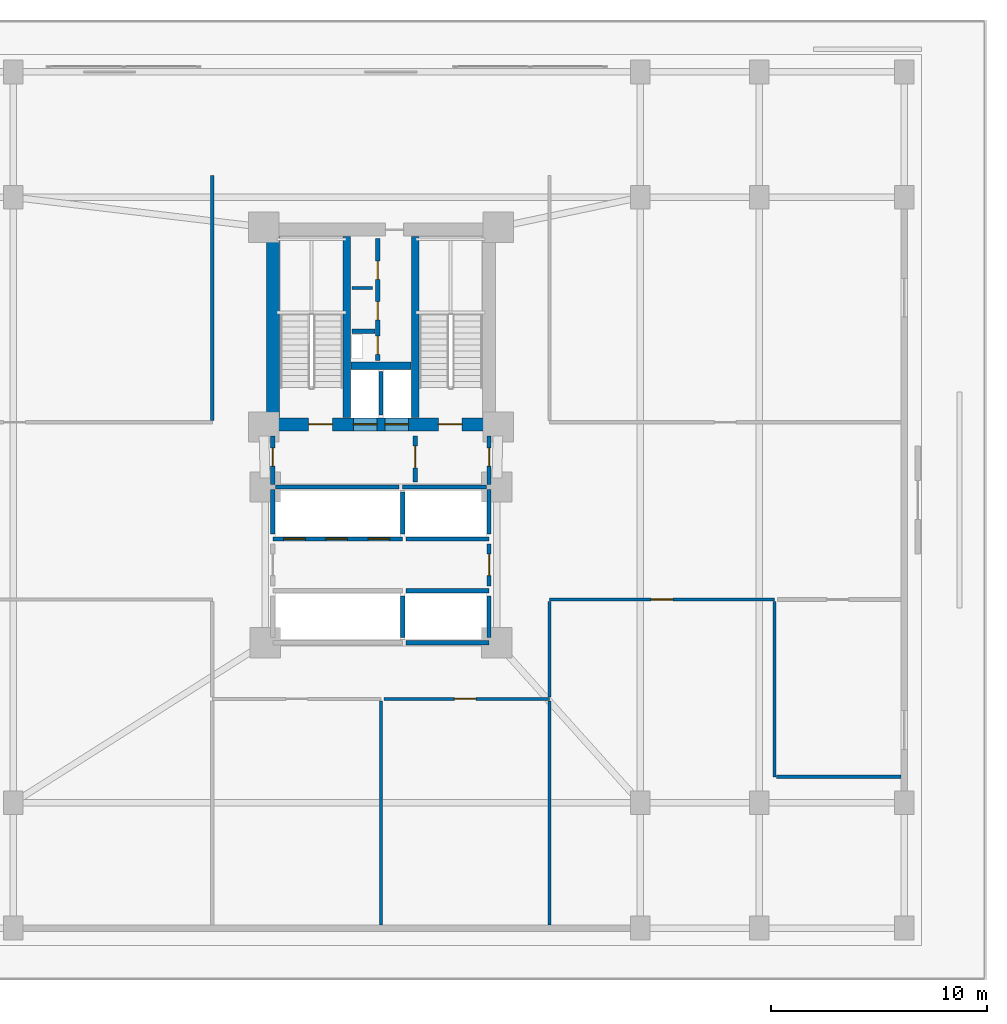
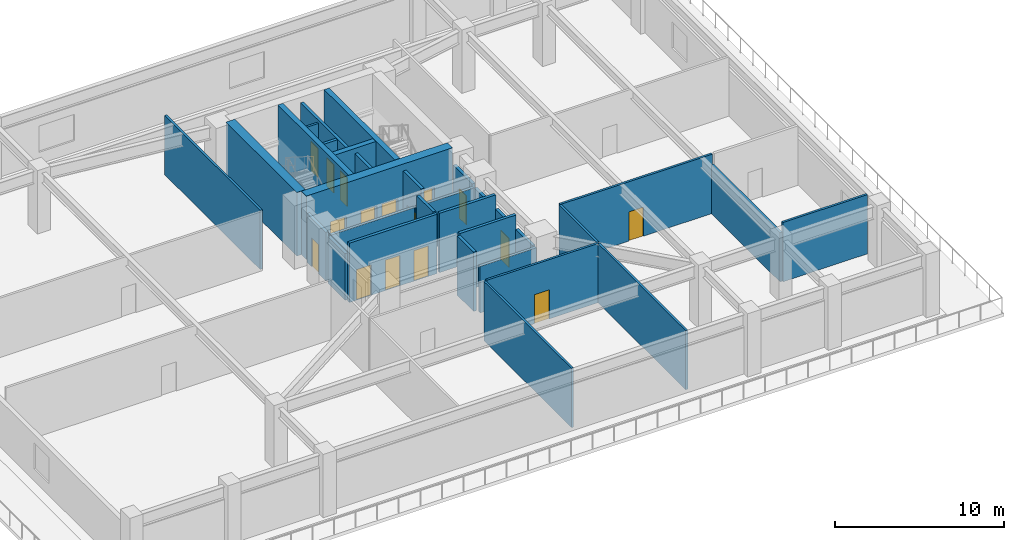
# One storey, part 6 of 9: 32 walls, 16 doors, 16 openings.
"""IFC4 building model written with IfcOpenShell, lengths in metres."""

import ifcopenshell
import ifcopenshell.guid

model = None  # the IFC model being written
_history = None  # IfcOwnerHistory: only IFC2X3 demands one
_inside = {}  # id of a spatial element -> (the spatial element, [elements in it])
_under = {}  # id of a project, library or spatial element -> (it, [spatial elements below it])
_declared = {}  # id of a project -> (the project, [libraries it declares])
_typed = {}  # id of a type object -> (the type object, [elements of that type])
_made_of = {}  # id of a material, layer set ... -> (it, [elements and type objects made of it])


def new_model(schema):
    """Start an empty IFC model of exactly this schema.

    Asked for "IFC4X3", IfcOpenShell would pick the latest addendum, in which some entities
    have other attributes; the version numbers below select the first issue.
    IFC2X3 requires an IfcOwnerHistory on every rooted entity: one is made here for all.
    """
    global model, _history
    if schema == "IFC4X3":
        model = ifcopenshell.file(schema_version=(4, 3, 0, 0))
    else:
        model = ifcopenshell.file(schema=schema)
    _inside.clear()
    _under.clear()
    _declared.clear()
    _typed.clear()
    _made_of.clear()
    _history = None
    if model.schema == "IFC2X3":
        org = make("IfcOrganization", Name="unknown")
        user = make(
            "IfcPersonAndOrganization",
            ThePerson=make("IfcPerson", FamilyName="unknown"),
            TheOrganization=org,
        )
        app = make(
            "IfcApplication",
            ApplicationDeveloper=org,
            Version="unknown",
            ApplicationFullName="unknown",
            ApplicationIdentifier="unknown",
        )
        _history = make(
            "IfcOwnerHistory",
            OwningUser=user,
            OwningApplication=app,
            ChangeAction="ADDED",
            CreationDate=0,
        )
    return model


def make(cls, **values):
    """One entity of the class cls with the attributes given. An attribute that is None is left unset."""
    return model.create_entity(
        cls, **{name: value for name, value in values.items() if value is not None}
    )


def rooted(cls, **values):
    """An entity with a GlobalId (a new one), such as an element, a storey or a relation."""
    return make(cls, GlobalId=ifcopenshell.guid.new(), OwnerHistory=_history, **values)


def si_unit(unit_type, name, prefix=None):
    """IfcSIUnit, for example si_unit("LENGTHUNIT", "METRE", prefix="MILLI")."""
    return make("IfcSIUnit", UnitType=unit_type, Prefix=prefix, Name=name)


def assignment(units):
    """IfcUnitAssignment: the units of a project."""
    return None if units is None else make("IfcUnitAssignment", Units=units)


def point(xyz):
    """IfcCartesianPoint."""
    return None if xyz is None else make("IfcCartesianPoint", Coordinates=xyz)


def direction(xyz):
    """IfcDirection."""
    return None if xyz is None else make("IfcDirection", DirectionRatios=xyz)


def frame(location, z_axis=None, x_axis=None):
    """IfcAxis2Placement3D, a coordinate frame: its origin and axes. An axis left out is left unset."""
    return make(
        "IfcAxis2Placement3D",
        Location=point(location),
        Axis=direction(z_axis),
        RefDirection=direction(x_axis),
    )


def frame_2d(location, x_axis=None):
    """IfcAxis2Placement2D, a coordinate frame in the plane: its origin and x axis."""
    return make(
        "IfcAxis2Placement2D", Location=point(location), RefDirection=direction(x_axis)
    )


def origin():
    """The frame at (0, 0, 0) with its axes left unset."""
    return frame((0.0, 0.0, 0.0))


def place(relative_to, where):
    """IfcLocalPlacement: puts the frame where relative to a parent placement (None: the world)."""
    return make(
        "IfcLocalPlacement", PlacementRelTo=relative_to, RelativePlacement=where
    )


def context(
    kind, dimensions, precision=None, world=None, true_north=None, identifier=None
):
    """IfcGeometricRepresentationContext, for example the 3D "Model" context."""
    return make(
        "IfcGeometricRepresentationContext",
        ContextIdentifier=identifier,
        ContextType=kind,
        CoordinateSpaceDimension=dimensions,
        Precision=precision,
        WorldCoordinateSystem=world,
        TrueNorth=true_north,
    )


def subcontext(parent, identifier, kind, view, scale=None):
    """IfcGeometricRepresentationSubContext, for example "Body" below "Model"."""
    return make(
        "IfcGeometricRepresentationSubContext",
        ContextIdentifier=identifier,
        ContextType=kind,
        ParentContext=parent,
        TargetScale=scale,
        TargetView=view,
    )


def project(units=None, contexts=None):
    """IfcProject with its units and contexts."""
    return rooted(
        "IfcProject",
        Name="project",
        RepresentationContexts=contexts,
        UnitsInContext=assignment(units),
    )


def spatial(cls, under=None, at=None, **own):
    """A site, building, storey or space (cls), placed at a placement, below another one or the project."""
    s = rooted(cls, ObjectPlacement=at, **own)
    if under is not None:
        _under.setdefault(under.id(), (under, []))[1].append(s)
    return s


def profile(cls, at=None, kind="AREA", **sizes):
    """A parametric profile (cls). Its sizes go by their IFC names, for example OverallWidth=200.0."""
    return make(cls, ProfileType=kind, Position=at, **sizes)


def rectangle(**sizes):
    """IfcRectangleProfileDef."""
    return profile("IfcRectangleProfileDef", **sizes)


def extrude(swept, where, along, depth):
    """IfcExtrudedAreaSolid: the profile swept, set in the frame where, extruded along a direction by depth."""
    return make(
        "IfcExtrudedAreaSolid",
        SweptArea=swept,
        Position=where,
        ExtrudedDirection=direction(along),
        Depth=depth,
    )


def shape(context_of_items, identifier, shape_type, items):
    """IfcShapeRepresentation: the items that make up one representation, for example the "Body"."""
    return make(
        "IfcShapeRepresentation",
        ContextOfItems=context_of_items,
        RepresentationIdentifier=identifier,
        RepresentationType=shape_type,
        Items=items,
    )


def material(Name=None, Category=None):
    """IfcMaterial."""
    return make("IfcMaterial", Name=Name, Category=Category)


def layer(
    of_material, thickness, ventilated=None, Name=None, Category=None, Priority=None
):
    """IfcMaterialLayer: one layer of a wall or slab, of a material (None: an air gap)."""
    return make(
        "IfcMaterialLayer",
        Material=of_material,
        LayerThickness=thickness,
        IsVentilated=ventilated,
        Name=Name,
        Category=Category,
        Priority=Priority,
    )


def layer_set(layers, Name=None):
    """IfcMaterialLayerSet."""
    return make("IfcMaterialLayerSet", MaterialLayers=layers, LayerSetName=Name)


def made_of(thing, what):
    """Note that an element or type object is made of a material, layer set ...; save() writes the relation."""
    if what is not None:
        _made_of.setdefault(what.id(), (what, []))[1].append(thing)
    return thing


def type_object(cls, material=None, **own):
    """A type object (cls), such as IfcWallType, which elements share."""
    return made_of(rooted(cls, **own), material)


def element(
    cls,
    number,
    at=None,
    inside=None,
    cuts=None,
    type_object=None,
    material=None,
    context=None,
    identifier="Body",
    shape_type=None,
    held_by="IfcProductDefinitionShape",
    body=None,
    shapes=None,
    **own,
):
    """One element of the class cls, such as IfcWall. Its Tag is "e" and its number.

    at: its placement. inside: the storey or other place that contains it. cuts: it is an
    opening in that element (IfcRelVoidsElement). A single representation is given by context,
    identifier, shape_type and body (its items); several are given by shapes. held_by: the class
    of the entity that holds the representations. save() writes the other relations.
    """
    e = rooted(cls, Tag="e%d" % number, ObjectPlacement=at, **own)
    if body is not None:
        shapes = [shape(context, identifier, shape_type, body)]
    if shapes is not None:
        e.Representation = make(held_by, Representations=shapes)
    if inside is not None:
        _inside.setdefault(inside.id(), (inside, []))[1].append(e)
    if cuts is not None:
        rooted(
            "IfcRelVoidsElement", RelatingBuildingElement=cuts, RelatedOpeningElement=e
        )
    if type_object is not None:
        _typed.setdefault(type_object.id(), (type_object, []))[1].append(e)
    return made_of(e, material)


def fill(opening, filler):
    """IfcRelFillsElement: the door or window that sits in an opening."""
    return rooted(
        "IfcRelFillsElement",
        RelatingOpeningElement=opening,
        RelatedBuildingElement=filler,
    )


def aggregate(whole, parts):
    """IfcRelAggregates: a whole, such as a stair, and the parts it consists of."""
    return rooted("IfcRelAggregates", RelatingObject=whole, RelatedObjects=parts)


def save(model, path):
    """Write the relations noted so far, then the file.

    IfcRelAggregates (storeys below a building ...), IfcRelContainedInSpatialStructure (elements
    in a storey), IfcRelDefinesByType, IfcRelAssociatesMaterial and IfcRelDeclares: one each for
    every whole, place, type object, material and project.
    """
    for whole, parts in _under.values():
        aggregate(whole, parts)
    for where, things in _inside.values():
        rooted(
            "IfcRelContainedInSpatialStructure",
            RelatedElements=things,
            RelatingStructure=where,
        )
    for kind, things in _typed.values():
        rooted("IfcRelDefinesByType", RelatedObjects=things, RelatingType=kind)
    for what, things in _made_of.values():
        rooted("IfcRelAssociatesMaterial", RelatedObjects=things, RelatingMaterial=what)
    for by, libraries in _declared.values():
        rooted("IfcRelDeclares", RelatingContext=by, RelatedDefinitions=libraries)
    model.write(path)


model = new_model("IFC4")

# Units and contexts
model_context = context("Model", 3, precision=1e-05, world=origin(), true_north=direction((0.0, 1.0)))
body_context = subcontext(model_context, "Body", "Model", "MODEL_VIEW")
ifc_project = project(units=[si_unit("LENGTHUNIT", "METRE"), si_unit("AREAUNIT", "SQUARE_METRE"), si_unit("VOLUMEUNIT", "CUBIC_METRE"), si_unit("PLANEANGLEUNIT", "RADIAN"), si_unit("MASSUNIT", "GRAM", prefix="KILO")], contexts=[model_context])

# Site, building, storey
site_placement = place(None, origin())
site = spatial("IfcSite", under=ifc_project, at=site_placement, CompositionType="ELEMENT")
building_placement = place(site_placement, origin())
building = spatial("IfcBuilding", under=site, at=building_placement, Name="Varnakorn Sky Granary", CompositionType="ELEMENT")
storey_placement = place(building_placement, frame((0.0, 0.0, 18.39990234375)))
storey = spatial("IfcBuildingStorey", under=building, at=storey_placement, Name="L04", CompositionType="ELEMENT", Elevation=18.39990234375)

# Walls
ifc_material_1 = material(Name="Concrete C50/60", Category="concrete")
ifc_layer_1 = layer(ifc_material_1, 0.35009765625, Name="Concrete C50/60")
ifc_layer_set_1 = layer_set([ifc_layer_1], Name="Concrete C50/60")
wall_type_1 = type_object("IfcWallType", Name="WT-CW-INT-350", PredefinedType="SHEAR", material=ifc_layer_set_1)
for number, where, z_axis, x_axis, name in (
    (1, (1.419921875, 3.81005859375, 0.0), (0.0, 0.0, 1.0), (0.0, 1.0, 0.0), "Stair ST-1 Core Wall L04"),
    (2, (4.580078125, 3.81005859375, 0.0), (0.0, 0.0, 1.0), (0.0, 1.0, 0.0), "Stair ST-2 Core Wall L04"),
):
    element("IfcWall", number, at=place(storey_placement, frame(where, z_axis=z_axis, x_axis=x_axis)), inside=storey, type_object=wall_type_1, Name=name, PredefinedType="SHEAR", context=body_context, shape_type="SweptSolid", body=[
        extrude(rectangle(XDim=8.3798828125, YDim=0.35009765625, at=frame_2d((4.18994140625, 0.0))), origin(), (0.0, 0.0, 1.0), 4.592041015625),
    ])
wall_1_placement = place(storey_placement, frame((1.610107421875, 6.199951171875, 0.0), z_axis=(0.0, 0.0, 1.0), x_axis=(1.0, 0.0, 0.0)))
element("IfcWall", 3, at=wall_1_placement, inside=storey, type_object=wall_type_1, Name="Core Lift Shaft Cross Wall L04", PredefinedType="SHEAR", context=body_context, shape_type="SweptSolid", body=[
    extrude(rectangle(XDim=2.77978515625, YDim=0.35009765625, at=frame_2d((1.389892578125, 0.0))), origin(), (0.0, 0.0, 1.0), 4.592041015625),
])

# Wall, openings, doors
ifc_material_2 = material(Name="Concrete C60/75", Category="concrete")
ifc_layer_2 = layer(ifc_material_2, 0.60009765625, Name="Concrete C60/75")
ifc_layer_set_2 = layer_set([ifc_layer_2], Name="Concrete C60/75")
wall_type_2 = type_object("IfcWallType", Name="WT-CW-SHEAR-600", PredefinedType="SHEAR", material=ifc_layer_set_2)
wall_2_placement = place(storey_placement, frame((-2.0, 3.5, 0.0), z_axis=(0.0, 0.0, 1.0), x_axis=(1.0, 0.0, 0.0)))
wall_2 = element("IfcWall", 4, at=wall_2_placement, inside=storey, type_object=wall_type_2, Name="Core South Shear Wall L04", PredefinedType="SHEAR", context=body_context, shape_type="SweptSolid", body=[
    extrude(rectangle(XDim=10.0, YDim=0.60009765625, at=frame_2d((5.0, 0.0))), origin(), (0.0, 0.0, 1.0), 4.592041015625),
])
opening_1_placement = place(wall_2_placement, frame((1.64990234375, 0.0, 0.0)))
opening_1 = element("IfcOpeningElement", 5, at=opening_1_placement, cuts=wall_2, Name="Opening FD-90", PredefinedType="OPENING", context=body_context, shape_type="SweptSolid", body=[
    extrude(rectangle(XDim=1.10009765625, YDim=2.14990234375, at=frame_2d((0.550048828125, 1.074951171875))), frame((0.0, 0.31005859375, 0.0), z_axis=(0.0, -1.0, 0.0), x_axis=(1.0, 0.0, 0.0)), (0.0, 0.0, 1.0), 0.6201171875),
])
opening_2_placement = place(wall_2_placement, frame((7.64990234375, 0.0, 0.0)))
opening_2 = element("IfcOpeningElement", 6, at=opening_2_placement, cuts=wall_2, Name="Opening FD-90", PredefinedType="OPENING", context=body_context, shape_type="SweptSolid", body=[
    extrude(rectangle(XDim=1.10009765625, YDim=2.14990234375, at=frame_2d((0.550048828125, 1.074951171875))), frame((0.0, 0.31005859375, 0.0), z_axis=(0.0, -1.0, 0.0), x_axis=(1.0, 0.0, 0.0)), (0.0, 0.0, 1.0), 0.6201171875),
])
opening_3_placement = place(wall_2_placement, frame((3.719970703125, 0.0, 0.0)))
opening_3 = element("IfcOpeningElement", 7, at=opening_3_placement, cuts=wall_2, Name="Opening LD-01", PredefinedType="OPENING", context=body_context, shape_type="SweptSolid", body=[
    extrude(rectangle(XDim=1.10009765625, YDim=2.199951171875, at=frame_2d((0.550048828125, 1.10009765625))), frame((0.0, 0.31005859375, 0.0), z_axis=(0.0, -1.0, 0.0), x_axis=(1.0, 0.0, 0.0)), (0.0, 0.0, 1.0), 0.6201171875),
])
opening_4_placement = place(wall_2_placement, frame((5.179931640625, 0.0, 0.0)))
opening_4 = element("IfcOpeningElement", 8, at=opening_4_placement, cuts=wall_2, Name="Opening LD-01", PredefinedType="OPENING", context=body_context, shape_type="SweptSolid", body=[
    extrude(rectangle(XDim=1.10009765625, YDim=2.199951171875, at=frame_2d((0.550048828125, 1.10009765625))), frame((0.0, 0.31005859375, 0.0), z_axis=(0.0, -1.0, 0.0), x_axis=(1.0, 0.0, 0.0)), (0.0, 0.0, 1.0), 0.6201171875),
])
ifc_material_3 = material(Name="Brushed Bronze Stainless Steel", Category="steel")
door_type_1 = type_object("IfcDoorType", Name="DR-LD-1100", OperationType="DOUBLE_DOOR_SLIDING", PredefinedType="DOOR", material=ifc_material_3)
door_1_placement = place(opening_3_placement, origin())
door_1 = element("IfcDoor", 9, at=door_1_placement, inside=storey, type_object=door_type_1, Name="Firefighting Lift FFL-1 Landing Door L04", OperationType="DOUBLE_DOOR_SLIDING", OverallHeight=2.199951171875, OverallWidth=1.10009765625, PredefinedType="DOOR", context=body_context, shape_type="SweptSolid", body=[
    extrude(rectangle(XDim=1.10009765625, YDim=2.199951171875, at=frame_2d((0.550048828125, 1.10009765625))), frame((0.0, 0.02490234375, 0.0), z_axis=(0.0, -1.0, 0.0), x_axis=(1.0, 0.0, 0.0)), (0.0, 0.0, 1.0), 0.050048828125),
])
fill(opening_3, door_1)
door_2_placement = place(opening_4_placement, origin())
door_2 = element("IfcDoor", 10, at=door_2_placement, inside=storey, type_object=door_type_1, Name="Firefighting Lift FFL-2 Landing Door L04", OperationType="DOUBLE_DOOR_SLIDING", OverallHeight=2.199951171875, OverallWidth=1.10009765625, PredefinedType="DOOR", context=body_context, shape_type="SweptSolid", body=[
    extrude(rectangle(XDim=1.10009765625, YDim=2.199951171875, at=frame_2d((0.550048828125, 1.10009765625))), frame((0.0, 0.02490234375, 0.0), z_axis=(0.0, -1.0, 0.0), x_axis=(1.0, 0.0, 0.0)), (0.0, 0.0, 1.0), 0.050048828125),
])
fill(opening_4, door_2)
ifc_material_4 = material(Name="Galvanised Painted Steel Leaf", Category="steel")
door_type_2 = type_object("IfcDoorType", Name="DR-STAIR-1100", OperationType="NOTDEFINED", PredefinedType="DOOR", material=ifc_material_4)
door_3_placement = place(opening_1_placement, origin())
door_3 = element("IfcDoor", 11, at=door_3_placement, inside=storey, type_object=door_type_2, Name="Stair ST-1 Protected Fire Door L04", OperationType="SINGLE_SWING_LEFT", OverallHeight=2.14990234375, OverallWidth=1.10009765625, PredefinedType="DOOR", context=body_context, shape_type="SweptSolid", body=[
    extrude(rectangle(XDim=1.10009765625, YDim=2.14990234375, at=frame_2d((0.550048828125, 1.074951171875))), frame((0.0, 0.02490234375, 0.0), z_axis=(0.0, -1.0, 0.0), x_axis=(1.0, 0.0, 0.0)), (0.0, 0.0, 1.0), 0.050048828125),
])
fill(opening_1, door_3)
door_4_placement = place(opening_2_placement, origin())
door_4 = element("IfcDoor", 12, at=door_4_placement, inside=storey, type_object=door_type_2, Name="Stair ST-2 Protected Fire Door L04", OperationType="SINGLE_SWING_RIGHT", OverallHeight=2.14990234375, OverallWidth=1.10009765625, PredefinedType="DOOR", context=body_context, shape_type="SweptSolid", body=[
    extrude(rectangle(XDim=1.10009765625, YDim=2.14990234375, at=frame_2d((0.550048828125, 1.074951171875))), frame((0.0, 0.02490234375, 0.0), z_axis=(0.0, -1.0, 0.0), x_axis=(1.0, 0.0, 0.0)), (0.0, 0.0, 1.0), 0.050048828125),
])
fill(opening_2, door_4)

# Wall
wall_3_placement = place(storey_placement, frame((-2.0, 3.81005859375, 0.0), z_axis=(0.0, 0.0, 1.0), x_axis=(0.0, 1.0, 0.0)))
element("IfcWall", 13, at=wall_3_placement, inside=storey, type_object=wall_type_2, Name="Core West Shear Wall L04", PredefinedType="SHEAR", context=body_context, shape_type="SweptSolid", body=[
    extrude(rectangle(XDim=8.3798828125, YDim=0.60009765625, at=frame_2d((4.18994140625, 0.0))), origin(), (0.0, 0.0, 1.0), 4.592041015625),
])

# Wall, openings, doors
ifc_material_5 = material(Name="Autoclaved Aerated Concrete Blockwork", Category="masonry")
ifc_layer_3 = layer(ifc_material_5, 0.199951171875, Name="Autoclaved Aerated Concrete Blockwork")
ifc_layer_set_3 = layer_set([ifc_layer_3], Name="Autoclaved Aerated Concrete Blockwork")
wall_type_3 = type_object("IfcWallType", Name="WT-FIRE-200", PredefinedType="MOVABLE", material=ifc_layer_set_3)
wall_4_placement = place(storey_placement, frame((2.85009765625, 6.449951171875, 0.0), z_axis=(0.0, 0.0, 1.0), x_axis=(0.0, 1.0, 0.0)))
wall_4 = element("IfcWall", 14, at=wall_4_placement, inside=storey, type_object=wall_type_3, Name="Interior Partition Wall L04-016", PredefinedType="MOVABLE", context=body_context, shape_type="SweptSolid", body=[
    extrude(rectangle(XDim=5.650146484375, YDim=0.199951171875, at=frame_2d((2.8251953125, 0.0))), origin(), (0.0, 0.0, 1.0), 4.280029296875),
])
opening_5_placement = place(wall_4_placement, frame((1.8798828125, 0.0, 0.0)))
opening_5 = element("IfcOpeningElement", 15, at=opening_5_placement, cuts=wall_4, Name="Opening RD-85", PredefinedType="OPENING", context=body_context, shape_type="SweptSolid", body=[
    extrude(rectangle(XDim=0.85009765625, YDim=2.050048828125, at=frame_2d((0.425048828125, 1.02490234375))), frame((0.0, 0.10986328125, 0.0), z_axis=(0.0, -1.0, 0.0), x_axis=(1.0, 0.0, 0.0)), (0.0, 0.0, 1.0), 0.219970703125),
])
opening_6_placement = place(wall_4_placement, frame((3.75, 0.0, 0.0)))
opening_6 = element("IfcOpeningElement", 16, at=opening_6_placement, cuts=wall_4, Name="Opening FD-60N", PredefinedType="OPENING", context=body_context, shape_type="SweptSolid", body=[
    extrude(rectangle(XDim=0.85009765625, YDim=2.10009765625, at=frame_2d((0.425048828125, 1.050048828125))), frame((0.0, 0.10986328125, 0.0), z_axis=(0.0, -1.0, 0.0), x_axis=(1.0, 0.0, 0.0)), (0.0, 0.0, 1.0), 0.219970703125),
])
opening_7_placement = place(wall_4_placement, frame((0.280029296875, 0.0, 0.0)))
opening_7 = element("IfcOpeningElement", 17, at=opening_7_placement, cuts=wall_4, Name="Opening FD-60N", PredefinedType="OPENING", context=body_context, shape_type="SweptSolid", body=[
    extrude(rectangle(XDim=0.85009765625, YDim=2.10009765625, at=frame_2d((0.425048828125, 1.050048828125))), frame((0.0, 0.10986328125, 0.0), z_axis=(0.0, -1.0, 0.0), x_axis=(1.0, 0.0, 0.0)), (0.0, 0.0, 1.0), 0.219970703125),
])
ifc_material_6 = material(Name="Acoustic Timber Fire Leaf", Category="wood")
door_type_3 = type_object("IfcDoorType", Name="DR-FD60-850", OperationType="NOTDEFINED", PredefinedType="DOOR", material=ifc_material_6)
door_5_placement = place(opening_6_placement, origin())
door_5 = element("IfcDoor", 18, at=door_5_placement, inside=storey, type_object=door_type_3, Name="Interior Door L04-016-2", OperationType="SINGLE_SWING_LEFT", OverallHeight=2.10009765625, OverallWidth=0.85009765625, PredefinedType="DOOR", context=body_context, shape_type="SweptSolid", body=[
    extrude(rectangle(XDim=0.85009765625, YDim=2.10009765625, at=frame_2d((0.425048828125, 1.050048828125))), frame((0.0, 0.02490234375, 0.0), z_axis=(0.0, -1.0, 0.0), x_axis=(1.0, 0.0, 0.0)), (0.0, 0.0, 1.0), 0.050048828125),
])
fill(opening_6, door_5)
door_6_placement = place(opening_7_placement, origin())
door_6 = element("IfcDoor", 19, at=door_6_placement, inside=storey, type_object=door_type_3, Name="Interior Door L04-016-3", OperationType="SINGLE_SWING_RIGHT", OverallHeight=2.10009765625, OverallWidth=0.85009765625, PredefinedType="DOOR", context=body_context, shape_type="SweptSolid", body=[
    extrude(rectangle(XDim=0.85009765625, YDim=2.10009765625, at=frame_2d((0.425048828125, 1.050048828125))), frame((0.0, 0.02490234375, 0.0), z_axis=(0.0, -1.0, 0.0), x_axis=(1.0, 0.0, 0.0)), (0.0, 0.0, 1.0), 0.050048828125),
])
fill(opening_7, door_6)
door_type_4 = type_object("IfcDoorType", Name="DR-RIS-850", OperationType="NOTDEFINED", PredefinedType="DOOR", material=ifc_material_4)
door_7_placement = place(opening_5_placement, origin())
door_7 = element("IfcDoor", 20, at=door_7_placement, inside=storey, type_object=door_type_4, Name="MEP Riser Shaft Access Door L04-016-1", OperationType="SINGLE_SWING_RIGHT", OverallHeight=2.050048828125, OverallWidth=0.85009765625, PredefinedType="DOOR", context=body_context, shape_type="SweptSolid", body=[
    extrude(rectangle(XDim=0.85009765625, YDim=2.050048828125, at=frame_2d((0.425048828125, 1.02490234375))), frame((0.0, 0.02490234375, 0.0), z_axis=(0.0, -1.0, 0.0), x_axis=(1.0, 0.0, 0.0)), (0.0, 0.0, 1.0), 0.050048828125),
])
fill(opening_5, door_7)

# Wall, opening, door
wall_5_placement = place(storey_placement, frame((4.580078125, 0.830078125, 0.0), z_axis=(0.0, 0.0, 1.0), x_axis=(0.0, 1.0, 0.0)))
wall_5 = element("IfcWall", 21, at=wall_5_placement, inside=storey, type_object=wall_type_3, Name="Interior Partition Wall L04-017", PredefinedType="MOVABLE", context=body_context, shape_type="SweptSolid", body=[
    extrude(rectangle(XDim=2.139892578125, YDim=0.199951171875, at=frame_2d((1.06982421875, 0.0))), origin(), (0.0, 0.0, 1.0), 4.280029296875),
])
opening_8_placement = place(wall_5_placement, frame((0.659912109375, 0.0, 0.0)))
opening_8 = element("IfcOpeningElement", 22, at=opening_8_placement, cuts=wall_5, Name="Opening FD-60", PredefinedType="OPENING", context=body_context, shape_type="SweptSolid", body=[
    extrude(rectangle(XDim=1.0, YDim=2.10009765625, at=frame_2d((0.5, 1.050048828125))), frame((0.0, 0.10986328125, 0.0), z_axis=(0.0, -1.0, 0.0), x_axis=(1.0, 0.0, 0.0)), (0.0, 0.0, 1.0), 0.219970703125),
])
door_type_5 = type_object("IfcDoorType", Name="DR-FD60-1000", OperationType="NOTDEFINED", PredefinedType="DOOR", material=ifc_material_6)
door_8_placement = place(opening_8_placement, origin())
door_8 = element("IfcDoor", 23, at=door_8_placement, inside=storey, type_object=door_type_5, Name="Interior Door L04-017-1", OperationType="SINGLE_SWING_LEFT", OverallHeight=2.10009765625, OverallWidth=1.0, PredefinedType="DOOR", context=body_context, shape_type="SweptSolid", body=[
    extrude(rectangle(XDim=1.0, YDim=2.10009765625, at=frame_2d((0.5, 1.050048828125))), frame((0.0, 0.02490234375, 0.0), z_axis=(0.0, -1.0, 0.0), x_axis=(1.0, 0.0, 0.0)), (0.0, 0.0, 1.0), 0.050048828125),
])
fill(opening_8, door_8)

wall_6_placement = place(storey_placement, frame((-2.0, 0.719970703125, 0.0), z_axis=(0.0, 0.0, 1.0), x_axis=(0.0, 1.0, 0.0)))
wall_6 = element("IfcWall", 24, at=wall_6_placement, inside=storey, type_object=wall_type_3, Name="Interior Partition Wall L04-018", PredefinedType="MOVABLE", context=body_context, shape_type="SweptSolid", body=[
    extrude(rectangle(XDim=2.25, YDim=0.199951171875, at=frame_2d((1.125, 0.0))), origin(), (0.0, 0.0, 1.0), 3.51220703125),
])
opening_9_placement = place(wall_6_placement, frame((0.844970703125, 0.0, 0.0)))
opening_9 = element("IfcOpeningElement", 25, at=opening_9_placement, cuts=wall_6, Name="Opening FD-60N", PredefinedType="OPENING", context=body_context, shape_type="SweptSolid", body=[
    extrude(rectangle(XDim=0.85009765625, YDim=2.10009765625, at=frame_2d((0.425048828125, 1.050048828125))), frame((0.0, 0.10986328125, 0.0), z_axis=(0.0, -1.0, 0.0), x_axis=(1.0, 0.0, 0.0)), (0.0, 0.0, 1.0), 0.219970703125),
])
door_9_placement = place(opening_9_placement, origin())
door_9 = element("IfcDoor", 26, at=door_9_placement, inside=storey, type_object=door_type_3, Name="Interior Door L04-018-1", OperationType="SINGLE_SWING_RIGHT", OverallHeight=2.10009765625, OverallWidth=0.85009765625, PredefinedType="DOOR", context=body_context, shape_type="SweptSolid", body=[
    extrude(rectangle(XDim=0.85009765625, YDim=2.10009765625, at=frame_2d((0.425048828125, 1.050048828125))), frame((0.0, 0.02490234375, 0.0), z_axis=(0.0, -1.0, 0.0), x_axis=(1.0, 0.0, 0.0)), (0.0, 0.0, 1.0), 0.050048828125),
])
fill(opening_9, door_9)

wall_7_placement = place(storey_placement, frame((8.0, 0.719970703125, 0.0), z_axis=(0.0, 0.0, 1.0), x_axis=(0.0, 1.0, 0.0)))
wall_7 = element("IfcWall", 27, at=wall_7_placement, inside=storey, type_object=wall_type_3, Name="Interior Partition Wall L04-019", PredefinedType="MOVABLE", context=body_context, shape_type="SweptSolid", body=[
    extrude(rectangle(XDim=2.25, YDim=0.199951171875, at=frame_2d((1.125, 0.0))), origin(), (0.0, 0.0, 1.0), 3.51220703125),
])
opening_10_placement = place(wall_7_placement, frame((0.844970703125, 0.0, 0.0)))
opening_10 = element("IfcOpeningElement", 28, at=opening_10_placement, cuts=wall_7, Name="Opening FD-60N", PredefinedType="OPENING", context=body_context, shape_type="SweptSolid", body=[
    extrude(rectangle(XDim=0.85009765625, YDim=2.10009765625, at=frame_2d((0.425048828125, 1.050048828125))), frame((0.0, 0.10986328125, 0.0), z_axis=(0.0, -1.0, 0.0), x_axis=(1.0, 0.0, 0.0)), (0.0, 0.0, 1.0), 0.219970703125),
])
door_10_placement = place(opening_10_placement, origin())
door_10 = element("IfcDoor", 29, at=door_10_placement, inside=storey, type_object=door_type_3, Name="Interior Door L04-019-1", OperationType="SINGLE_SWING_LEFT", OverallHeight=2.10009765625, OverallWidth=0.85009765625, PredefinedType="DOOR", context=body_context, shape_type="SweptSolid", body=[
    extrude(rectangle(XDim=0.85009765625, YDim=2.10009765625, at=frame_2d((0.425048828125, 1.050048828125))), frame((0.0, 0.02490234375, 0.0), z_axis=(0.0, -1.0, 0.0), x_axis=(1.0, 0.0, 0.0)), (0.0, 0.0, 1.0), 0.050048828125),
])
fill(opening_10, door_10)

wall_8_placement = place(storey_placement, frame((8.0, -3.969970703125, 0.0), z_axis=(0.0, 0.0, 1.0), x_axis=(0.0, 1.0, 0.0)))
wall_8 = element("IfcWall", 30, at=wall_8_placement, inside=storey, type_object=wall_type_3, Name="Interior Partition Wall L04-021", PredefinedType="MOVABLE", context=body_context, shape_type="SweptSolid", body=[
    extrude(rectangle(XDim=1.93994140625, YDim=0.199951171875, at=frame_2d((0.969970703125, 0.0))), origin(), (0.0, 0.0, 1.0), 3.362060546875),
])
opening_11_placement = place(wall_8_placement, frame((0.469970703125, 0.0, 0.0)))
opening_11 = element("IfcOpeningElement", 31, at=opening_11_placement, cuts=wall_8, Name="Opening FD-60", PredefinedType="OPENING", context=body_context, shape_type="SweptSolid", body=[
    extrude(rectangle(XDim=1.0, YDim=2.10009765625, at=frame_2d((0.5, 1.050048828125))), frame((0.0, 0.10986328125, 0.0), z_axis=(0.0, -1.0, 0.0), x_axis=(1.0, 0.0, 0.0)), (0.0, 0.0, 1.0), 0.219970703125),
])
door_11_placement = place(opening_11_placement, origin())
door_11 = element("IfcDoor", 32, at=door_11_placement, inside=storey, type_object=door_type_5, Name="Interior Door L04-021-1", OperationType="SINGLE_SWING_LEFT", OverallHeight=2.10009765625, OverallWidth=1.0, PredefinedType="DOOR", context=body_context, shape_type="SweptSolid", body=[
    extrude(rectangle(XDim=1.0, YDim=2.10009765625, at=frame_2d((0.5, 1.050048828125))), frame((0.0, 0.02490234375, 0.0), z_axis=(0.0, -1.0, 0.0), x_axis=(1.0, 0.0, 0.0)), (0.0, 0.0, 1.0), 0.050048828125),
])
fill(opening_11, door_11)

# Wall
wall_9_placement = place(storey_placement, frame((-1.8798828125, 0.60009765625, 0.0), z_axis=(0.0, 0.0, 1.0), x_axis=(1.0, 0.0, 0.0)))
element("IfcWall", 33, at=wall_9_placement, inside=storey, type_object=wall_type_3, Name="Interior Partition Wall L04-030", PredefinedType="MOVABLE", context=body_context, shape_type="SweptSolid", body=[
    extrude(rectangle(XDim=5.719970703125, YDim=0.199951171875, at=frame_2d((2.85986328125, 0.0))), origin(), (0.0, 0.0, 1.0), 3.362060546875),
])

# Wall, opening, door
ifc_material_7 = material(Name="Gypsum Plasterboard on Steel Stud", Category="steel")
ifc_layer_4 = layer(ifc_material_7, 0.14990234375, Name="Gypsum Plasterboard on Steel Stud")
ifc_layer_set_4 = layer_set([ifc_layer_4], Name="Gypsum Plasterboard on Steel Stud")
wall_type_4 = type_object("IfcWallType", Name="WT-PART-150", PredefinedType="PARTITIONING", material=ifc_layer_set_4)
wall_10_placement = place(storey_placement, frame((10.800048828125, -4.60009765625, 0.0), z_axis=(0.0, 0.0, 1.0), x_axis=(1.0, 0.0, 0.0)))
wall_10 = element("IfcWall", 34, at=wall_10_placement, inside=storey, type_object=wall_type_4, Name="Interior Partition Wall L04-025", PredefinedType="PARTITIONING", context=body_context, shape_type="SweptSolid", body=[
    extrude(rectangle(XDim=10.39990234375, YDim=0.14990234375, at=frame_2d((5.199951171875, 0.0))), origin(), (0.0, 0.0, 1.0), 4.280029296875),
])
opening_12_placement = place(wall_10_placement, frame((4.699951171875, 0.0, 0.0)))
opening_12 = element("IfcOpeningElement", 35, at=opening_12_placement, cuts=wall_10, Name="Opening ID-100", PredefinedType="OPENING", context=body_context, shape_type="SweptSolid", body=[
    extrude(rectangle(XDim=1.0, YDim=2.10009765625, at=frame_2d((0.5, 1.050048828125))), frame((0.0, 0.0849609375, 0.0), z_axis=(0.0, -1.0, 0.0), x_axis=(1.0, 0.0, 0.0)), (0.0, 0.0, 1.0), 0.169921875),
])
ifc_material_8 = material(Name="Solid-Core Teak Veneer Leaf", Category="timber")
door_type_6 = type_object("IfcDoorType", Name="DR-INT-1000", OperationType="NOTDEFINED", PredefinedType="DOOR", material=ifc_material_8)
door_12_placement = place(opening_12_placement, origin())
door_12 = element("IfcDoor", 36, at=door_12_placement, inside=storey, type_object=door_type_6, Name="Interior Door L04-025-1", OperationType="SINGLE_SWING_LEFT", OverallHeight=2.10009765625, OverallWidth=1.0, PredefinedType="DOOR", context=body_context, shape_type="SweptSolid", body=[
    extrude(rectangle(XDim=1.0, YDim=2.10009765625, at=frame_2d((0.5, 1.050048828125))), frame((0.0, 0.02490234375, 0.0), z_axis=(0.0, -1.0, 0.0), x_axis=(1.0, 0.0, 0.0)), (0.0, 0.0, 1.0), 0.050048828125),
])
fill(opening_12, door_12)

wall_11_placement = place(storey_placement, frame((3.135009765625, -9.199951171875, 0.0), z_axis=(0.0, 0.0, 1.0), x_axis=(1.0, 0.0, 0.0)))
wall_11 = element("IfcWall", 37, at=wall_11_placement, inside=storey, type_object=wall_type_4, Name="Interior Partition Wall L04-028", PredefinedType="PARTITIONING", context=body_context, shape_type="SweptSolid", body=[
    extrude(rectangle(XDim=7.6650390625, YDim=0.14990234375, at=frame_2d((3.83251953125, 0.0))), origin(), (0.0, 0.0, 1.0), 4.280029296875),
])
opening_13_placement = place(wall_11_placement, frame((3.264892578125, 0.0, 0.0)))
opening_13 = element("IfcOpeningElement", 38, at=opening_13_placement, cuts=wall_11, Name="Opening ID-100", PredefinedType="OPENING", context=body_context, shape_type="SweptSolid", body=[
    extrude(rectangle(XDim=1.0, YDim=2.10009765625, at=frame_2d((0.5, 1.050048828125))), frame((0.0, 0.0849609375, 0.0), z_axis=(0.0, -1.0, 0.0), x_axis=(1.0, 0.0, 0.0)), (0.0, 0.0, 1.0), 0.169921875),
])
door_13_placement = place(opening_13_placement, origin())
door_13 = element("IfcDoor", 39, at=door_13_placement, inside=storey, type_object=door_type_6, Name="Interior Door L04-028-1", OperationType="SINGLE_SWING_RIGHT", OverallHeight=2.10009765625, OverallWidth=1.0, PredefinedType="DOOR", context=body_context, shape_type="SweptSolid", body=[
    extrude(rectangle(XDim=1.0, YDim=2.10009765625, at=frame_2d((0.5, 1.050048828125))), frame((0.0, 0.02490234375, 0.0), z_axis=(0.0, -1.0, 0.0), x_axis=(1.0, 0.0, 0.0)), (0.0, 0.0, 1.0), 0.050048828125),
])
fill(opening_13, door_13)

# Walls
wall_12_placement = place(storey_placement, frame((1.64990234375, 9.800048828125, 0.0), z_axis=(0.0, 0.0, 1.0), x_axis=(1.0, 0.0, 0.0)))
element("IfcWall", 40, at=wall_12_placement, inside=storey, type_object=wall_type_4, Name="Interior Partition Wall L04-029", PredefinedType="PARTITIONING", context=body_context, shape_type="SweptSolid", body=[
    extrude(rectangle(XDim=0.960205078125, YDim=0.14990234375, at=frame_2d((0.47998046875, 0.0))), origin(), (0.0, 0.0, 1.0), 4.280029296875),
])
wall_13_placement = place(storey_placement, frame((-4.800048828125, 15.0, 0.0), z_axis=(0.0, 0.0, 1.0), x_axis=(0.0, -1.0, 0.0)))
element("IfcWall", 41, at=wall_13_placement, inside=storey, type_object=wall_type_4, Name="Interior Partition Wall L04-031", PredefinedType="PARTITIONING", context=body_context, shape_type="SweptSolid", body=[
    extrude(rectangle(XDim=11.31494140625, YDim=0.14990234375, at=frame_2d((5.657470703125, 0.0))), origin(), (0.0, 0.0, 1.0), 4.280029296875),
])
wall_14_placement = place(storey_placement, frame((10.800048828125, -9.114990234375, 0.0), z_axis=(0.0, 0.0, 1.0), x_axis=(0.0, 1.0, 0.0)))
element("IfcWall", 42, at=wall_14_placement, inside=storey, type_object=wall_type_4, Name="Interior Partition Wall L04-036", PredefinedType="PARTITIONING", context=body_context, shape_type="SweptSolid", body=[
    extrude(rectangle(XDim=4.429931640625, YDim=0.14990234375, at=frame_2d((2.21484375, 0.0))), origin(), (0.0, 0.0, 1.0), 4.280029296875),
])
wall_15_placement = place(storey_placement, frame((21.199951171875, -4.68505859375, 0.0), z_axis=(0.0, 0.0, 1.0), x_axis=(0.0, -1.0, 0.0)))
element("IfcWall", 43, at=wall_15_placement, inside=storey, type_object=wall_type_4, Name="Interior Partition Wall L04-038", PredefinedType="PARTITIONING", context=body_context, shape_type="SweptSolid", body=[
    extrude(rectangle(XDim=8.114990234375, YDim=0.14990234375, at=frame_2d((4.0576171875, 0.0))), origin(), (0.0, 0.0, 1.0), 3.56201171875),
])
wall_16_placement = place(storey_placement, frame((21.284912109375, -12.800048828125, 0.0), z_axis=(0.0, 0.0, 1.0), x_axis=(1.0, 0.0, 0.0)))
element("IfcWall", 44, at=wall_16_placement, inside=storey, type_object=wall_type_4, Name="Interior Partition Wall L04-039", PredefinedType="PARTITIONING", context=body_context, shape_type="SweptSolid", body=[
    extrude(rectangle(XDim=5.76513671875, YDim=0.14990234375, at=frame_2d((2.882568359375, 0.0))), origin(), (0.0, 0.0, 1.0), 4.280029296875),
])
for number, where, z_axis, x_axis, name in (
    (45, (10.800048828125, -19.64990234375, 0.0), (0.0, 0.0, 1.0), (0.0, 1.0, 0.0), "Interior Partition Wall L04-040"),
    (46, (3.0, -9.284912109375, 0.0), (0.0, 0.0, 1.0), (0.0, -1.0, 0.0), "Interior Partition Wall L04-041"),
):
    element("IfcWall", number, at=place(storey_placement, frame(where, z_axis=z_axis, x_axis=x_axis)), inside=storey, type_object=wall_type_4, Name=name, PredefinedType="PARTITIONING", context=body_context, shape_type="SweptSolid", body=[
        extrude(rectangle(XDim=10.364990234375, YDim=0.14990234375, at=frame_2d((5.1826171875, 0.0))), origin(), (0.0, 0.0, 1.0), 4.280029296875),
    ])
ifc_layer_5 = layer(ifc_material_5, 0.199951171875, Name="Autoclaved Aerated Concrete Blockwork")
ifc_layer_set_5 = layer_set([ifc_layer_5], Name="Autoclaved Aerated Concrete Blockwork")
wall_type_5 = type_object("IfcWallType", Name="WT-SHAFT-200", PredefinedType="SOLIDWALL", material=ifc_layer_set_5)
wall_17_placement = place(storey_placement, frame((3.0, 3.919921875, 0.0), z_axis=(0.0, 0.0, 1.0), x_axis=(0.0, 1.0, 0.0)))
element("IfcWall", 47, at=wall_17_placement, inside=storey, type_object=wall_type_5, Name="Interior Partition Wall L04-001", PredefinedType="SOLIDWALL", context=body_context, shape_type="SweptSolid", body=[
    extrude(rectangle(XDim=2.030029296875, YDim=0.199951171875, at=frame_2d((1.01513671875, 0.0))), origin(), (0.0, 0.0, 1.0), 4.280029296875),
])
wall_18_placement = place(storey_placement, frame((1.64990234375, 7.800048828125, 0.0), z_axis=(0.0, 0.0, 1.0), x_axis=(1.0, 0.0, 0.0)))
element("IfcWall", 48, at=wall_18_placement, inside=storey, type_object=wall_type_5, Name="Interior Partition Wall L04-002", PredefinedType="SOLIDWALL", context=body_context, shape_type="SweptSolid", body=[
    extrude(rectangle(XDim=1.070068359375, YDim=0.199951171875, at=frame_2d((0.53515625, 0.0))), origin(), (0.0, 0.0, 1.0), 4.280029296875),
])
wall_19_placement = place(storey_placement, frame((4.0, 0.60009765625, 0.0), z_axis=(0.0, 0.0, 1.0), x_axis=(1.0, 0.0, 0.0)))
element("IfcWall", 49, at=wall_19_placement, inside=storey, type_object=wall_type_5, Name="Interior Partition Wall L04-003", PredefinedType="SOLIDWALL", context=body_context, shape_type="SweptSolid", body=[
    extrude(rectangle(XDim=3.8798828125, YDim=0.199951171875, at=frame_2d((1.93994140625, 0.0))), origin(), (0.0, 0.0, 1.0), 3.362060546875),
])

# Wall, openings, doors
wall_20_placement = place(storey_placement, frame((-2.0, -1.800048828125, 0.0), z_axis=(0.0, 0.0, 1.0), x_axis=(1.0, 0.0, 0.0)))
wall_20 = element("IfcWall", 50, at=wall_20_placement, inside=storey, type_object=wall_type_5, Name="Interior Partition Wall L04-004", PredefinedType="SOLIDWALL", context=body_context, shape_type="SweptSolid", body=[
    extrude(rectangle(XDim=6.0, YDim=0.199951171875, at=frame_2d((3.0, 0.0))), origin(), (0.0, 0.0, 1.0), 4.280029296875),
])
opening_14_placement = place(wall_20_placement, frame((0.5, 0.0, 0.0)))
opening_14 = element("IfcOpeningElement", 51, at=opening_14_placement, cuts=wall_20, Name="Opening LD-03", PredefinedType="OPENING", context=body_context, shape_type="SweptSolid", body=[
    extrude(rectangle(XDim=1.0, YDim=2.199951171875, at=frame_2d((0.5, 1.10009765625))), frame((0.0, 0.10986328125, 0.0), z_axis=(0.0, -1.0, 0.0), x_axis=(1.0, 0.0, 0.0)), (0.0, 0.0, 1.0), 0.219970703125),
])
opening_15_placement = place(wall_20_placement, frame((2.449951171875, 0.0, 0.0)))
opening_15 = element("IfcOpeningElement", 52, at=opening_15_placement, cuts=wall_20, Name="Opening LD-03", PredefinedType="OPENING", context=body_context, shape_type="SweptSolid", body=[
    extrude(rectangle(XDim=1.0, YDim=2.199951171875, at=frame_2d((0.5, 1.10009765625))), frame((0.0, 0.10986328125, 0.0), z_axis=(0.0, -1.0, 0.0), x_axis=(1.0, 0.0, 0.0)), (0.0, 0.0, 1.0), 0.219970703125),
])
opening_16_placement = place(wall_20_placement, frame((4.39990234375, 0.0, 0.0)))
opening_16 = element("IfcOpeningElement", 53, at=opening_16_placement, cuts=wall_20, Name="Opening LD-03", PredefinedType="OPENING", context=body_context, shape_type="SweptSolid", body=[
    extrude(rectangle(XDim=1.0, YDim=2.199951171875, at=frame_2d((0.5, 1.10009765625))), frame((0.0, 0.10986328125, 0.0), z_axis=(0.0, -1.0, 0.0), x_axis=(1.0, 0.0, 0.0)), (0.0, 0.0, 1.0), 0.219970703125),
])
door_type_7 = type_object("IfcDoorType", Name="DR-LD-1000", OperationType="DOUBLE_DOOR_SLIDING", PredefinedType="DOOR", material=ifc_material_3)
door_14_placement = place(opening_14_placement, origin())
door_14 = element("IfcDoor", 54, at=door_14_placement, inside=storey, type_object=door_type_7, Name="Passenger Lift PL-L1 Sliding Landing Door L04", OperationType="DOUBLE_DOOR_SLIDING", OverallHeight=2.199951171875, OverallWidth=1.0, PredefinedType="DOOR", context=body_context, shape_type="SweptSolid", body=[
    extrude(rectangle(XDim=1.0, YDim=2.199951171875, at=frame_2d((0.5, 1.10009765625))), frame((0.0, 0.02490234375, 0.0), z_axis=(0.0, -1.0, 0.0), x_axis=(1.0, 0.0, 0.0)), (0.0, 0.0, 1.0), 0.050048828125),
])
fill(opening_14, door_14)
door_15_placement = place(opening_15_placement, origin())
door_15 = element("IfcDoor", 55, at=door_15_placement, inside=storey, type_object=door_type_7, Name="Passenger Lift PL-L2 Sliding Landing Door L04", OperationType="DOUBLE_DOOR_SLIDING", OverallHeight=2.199951171875, OverallWidth=1.0, PredefinedType="DOOR", context=body_context, shape_type="SweptSolid", body=[
    extrude(rectangle(XDim=1.0, YDim=2.199951171875, at=frame_2d((0.5, 1.10009765625))), frame((0.0, 0.02490234375, 0.0), z_axis=(0.0, -1.0, 0.0), x_axis=(1.0, 0.0, 0.0)), (0.0, 0.0, 1.0), 0.050048828125),
])
fill(opening_15, door_15)
door_16_placement = place(opening_16_placement, origin())
door_16 = element("IfcDoor", 56, at=door_16_placement, inside=storey, type_object=door_type_7, Name="Passenger Lift PL-L3 Sliding Landing Door L04", OperationType="DOUBLE_DOOR_SLIDING", OverallHeight=2.199951171875, OverallWidth=1.0, PredefinedType="DOOR", context=body_context, shape_type="SweptSolid", body=[
    extrude(rectangle(XDim=1.0, YDim=2.199951171875, at=frame_2d((0.5, 1.10009765625))), frame((0.0, 0.02490234375, 0.0), z_axis=(0.0, -1.0, 0.0), x_axis=(1.0, 0.0, 0.0)), (0.0, 0.0, 1.0), 0.050048828125),
])
fill(opening_16, door_16)

# Walls
wall_21_placement = place(storey_placement, frame((-2.0, -1.570068359375, 0.0), z_axis=(0.0, 0.0, 1.0), x_axis=(0.0, 1.0, 0.0)))
element("IfcWall", 57, at=wall_21_placement, inside=storey, type_object=wall_type_5, Name="Interior Partition Wall L04-005", PredefinedType="SOLIDWALL", context=body_context, shape_type="SweptSolid", body=[
    extrude(rectangle(XDim=2.050048828125, YDim=0.199951171875, at=frame_2d((1.02490234375, 0.0))), origin(), (0.0, 0.0, 1.0), 3.362060546875),
])
wall_22_placement = place(storey_placement, frame((4.159912109375, -1.800048828125, 0.0), z_axis=(0.0, 0.0, 1.0), x_axis=(1.0, 0.0, 0.0)))
element("IfcWall", 58, at=wall_22_placement, inside=storey, type_object=wall_type_5, Name="Interior Partition Wall L04-006", PredefinedType="SOLIDWALL", context=body_context, shape_type="SweptSolid", body=[
    extrude(rectangle(XDim=3.840087890625, YDim=0.199951171875, at=frame_2d((1.919921875, 0.0))), origin(), (0.0, 0.0, 1.0), 4.280029296875),
])
wall_23_placement = place(storey_placement, frame((4.0, -1.570068359375, 0.0), z_axis=(0.0, 0.0, 1.0), x_axis=(0.0, 1.0, 0.0)))
element("IfcWall", 59, at=wall_23_placement, inside=storey, type_object=wall_type_5, Name="Interior Partition Wall L04-007", PredefinedType="SOLIDWALL", context=body_context, shape_type="SweptSolid", body=[
    extrude(rectangle(XDim=1.940185546875, YDim=0.199951171875, at=frame_2d((0.97021484375, 0.0))), origin(), (0.0, 0.0, 1.0), 4.280029296875),
])
wall_24_placement = place(storey_placement, frame((8.0, -1.570068359375, 0.0), z_axis=(0.0, 0.0, 1.0), x_axis=(0.0, 1.0, 0.0)))
element("IfcWall", 60, at=wall_24_placement, inside=storey, type_object=wall_type_5, Name="Interior Partition Wall L04-008", PredefinedType="SOLIDWALL", context=body_context, shape_type="SweptSolid", body=[
    extrude(rectangle(XDim=2.050048828125, YDim=0.199951171875, at=frame_2d((1.02490234375, 0.0))), origin(), (0.0, 0.0, 1.0), 3.362060546875),
])
wall_25_placement = place(storey_placement, frame((4.159912109375, -4.199951171875, 0.0), z_axis=(0.0, 0.0, 1.0), x_axis=(1.0, 0.0, 0.0)))
element("IfcWall", 61, at=wall_25_placement, inside=storey, type_object=wall_type_5, Name="Interior Partition Wall L04-012", PredefinedType="SOLIDWALL", context=body_context, shape_type="SweptSolid", body=[
    extrude(rectangle(XDim=3.840087890625, YDim=0.199951171875, at=frame_2d((1.919921875, 0.0))), origin(), (0.0, 0.0, 1.0), 4.280029296875),
])
wall_26_placement = place(storey_placement, frame((4.159912109375, -6.60009765625, 0.0), z_axis=(0.0, 0.0, 1.0), x_axis=(1.0, 0.0, 0.0)))
element("IfcWall", 62, at=wall_26_placement, inside=storey, type_object=wall_type_5, Name="Interior Partition Wall L04-013", PredefinedType="SOLIDWALL", context=body_context, shape_type="SweptSolid", body=[
    extrude(rectangle(XDim=3.840087890625, YDim=0.199951171875, at=frame_2d((1.919921875, 0.0))), origin(), (0.0, 0.0, 1.0), 3.362060546875),
])
wall_27_placement = place(storey_placement, frame((4.0, -6.3701171875, 0.0), z_axis=(0.0, 0.0, 1.0), x_axis=(0.0, 1.0, 0.0)))
element("IfcWall", 63, at=wall_27_placement, inside=storey, type_object=wall_type_5, Name="Interior Partition Wall L04-014", PredefinedType="SOLIDWALL", context=body_context, shape_type="SweptSolid", body=[
    extrude(rectangle(XDim=1.940185546875, YDim=0.199951171875, at=frame_2d((0.97021484375, 0.0))), origin(), (0.0, 0.0, 1.0), 4.280029296875),
])
wall_28_placement = place(storey_placement, frame((8.0, -6.3701171875, 0.0), z_axis=(0.0, 0.0, 1.0), x_axis=(0.0, 1.0, 0.0)))
element("IfcWall", 64, at=wall_28_placement, inside=storey, type_object=wall_type_5, Name="Interior Partition Wall L04-015", PredefinedType="SOLIDWALL", context=body_context, shape_type="SweptSolid", body=[
    extrude(rectangle(XDim=1.940185546875, YDim=0.199951171875, at=frame_2d((0.97021484375, 0.0))), origin(), (0.0, 0.0, 1.0), 3.362060546875),
])

save(model, "model.ifc")
